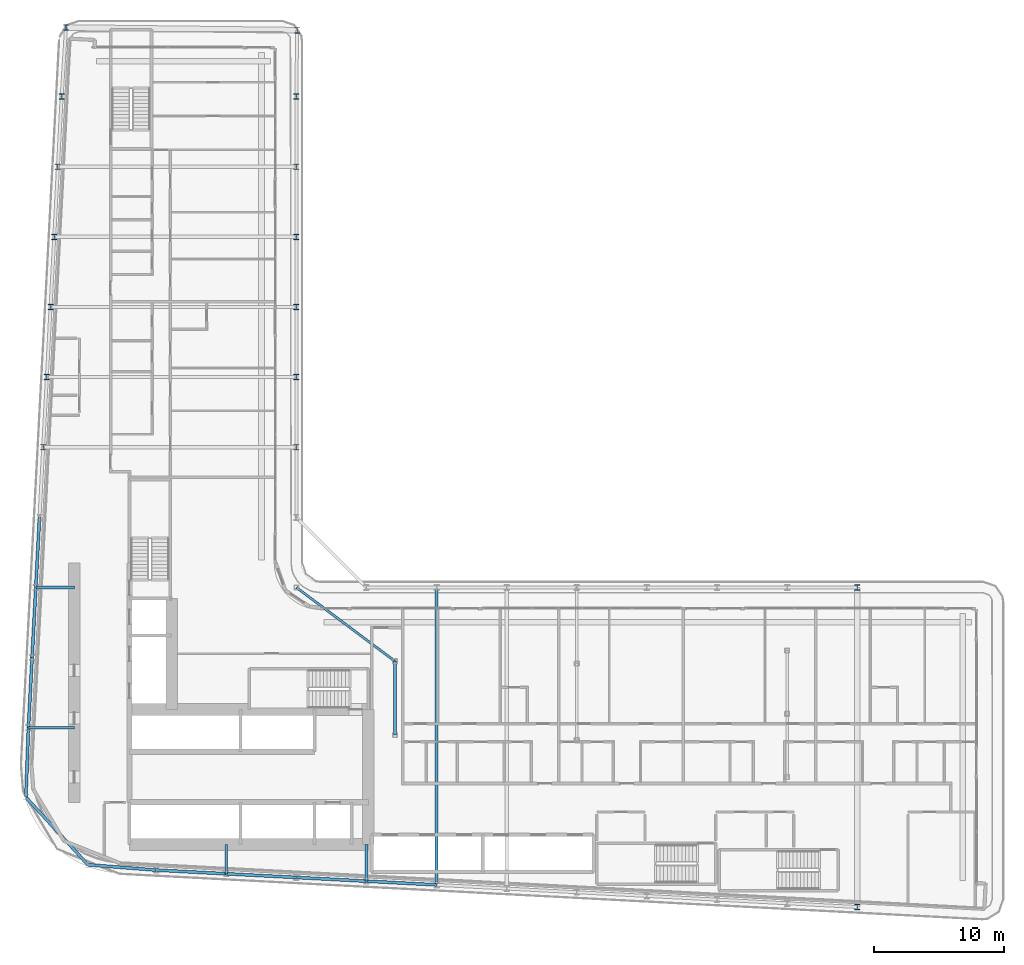
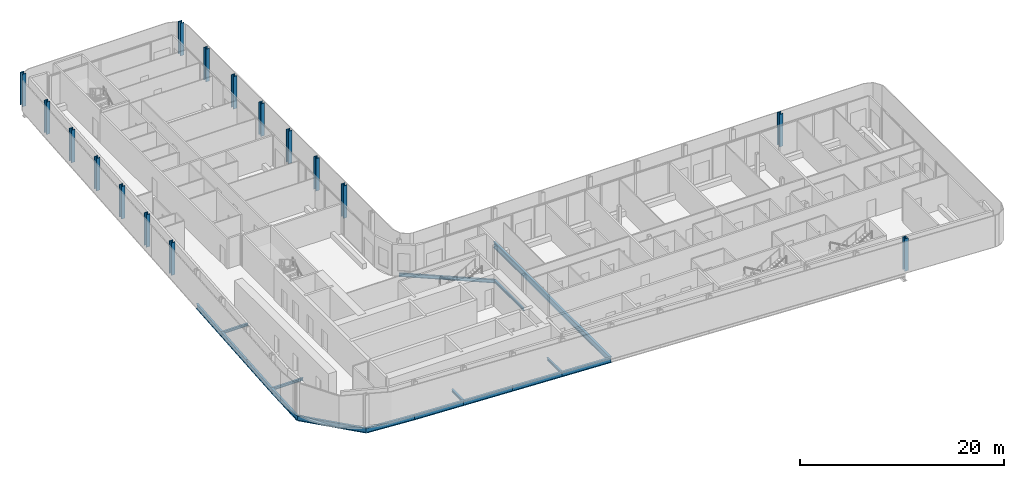
# One storey, part 3 of 27: 17 beams, 16 columns.
"""IFC4 building model written with IfcOpenShell, lengths in metres."""

from ifc_helpers import new_model, si_unit, direction, frame, origin, origin_2d, place, context, subcontext, project, spatial, i_section, extrude, material, material_profile, profile_set, type_object, element, save


model = new_model("IFC4")

# Units and contexts
model_context = context("Model", 3, precision=1e-05, world=origin(), true_north=direction((0.0, 1.0)))
body_context = subcontext(model_context, "Body", "Model", "MODEL_VIEW")
ifc_project = project(units=[si_unit("LENGTHUNIT", "METRE"), si_unit("AREAUNIT", "SQUARE_METRE"), si_unit("VOLUMEUNIT", "CUBIC_METRE"), si_unit("PLANEANGLEUNIT", "RADIAN"), si_unit("MASSUNIT", "GRAM", prefix="KILO")], contexts=[model_context])

# Site, building, storey
site_placement = place(None, origin())
site = spatial("IfcSite", under=ifc_project, at=site_placement, CompositionType="ELEMENT")
building_placement = place(site_placement, origin())
building = spatial("IfcBuilding", under=site, at=building_placement, Name="Kheshtan School and Residences Tower", CompositionType="ELEMENT")
storey_placement = place(building_placement, frame((0.0, 0.0, 101.89990234375)))
storey = spatial("IfcBuildingStorey", under=building, at=storey_placement, Name="L23", CompositionType="ELEMENT", Elevation=101.89990234375)

# Columns
ifc_material = material(Name="Steel ASTM A992 Grade 50", Category="steel")
ifc_material_profile_1 = material_profile(ifc_material, i_section(OverallWidth=0.41796875, OverallDepth=0.455078125, WebThickness=0.042236328125, FlangeThickness=0.067626953125, FilletRadius=0.013671875, at=origin_2d()), Name="W360x551")
ifc_profile_set_1 = profile_set([ifc_material_profile_1], Name="Steel ASTM A992 Grade 50")
column_type = type_object("IfcColumnType", Name="Column C2 W360x551 ASTM A992 Grade 50", PredefinedType="COLUMN", material=ifc_profile_set_1)
for number, where, z_axis, x_axis, name in (
    (1, (90.800048828125, 20.989990234375, 0.0), (0.0, 0.0, 1.0), (1.0, 0.0, 0.0), "Column C006"),
    (2, (90.800048828125, 45.60009765625, 0.0), (0.0, 0.0, 1.0), (1.0, 0.0, 0.0), "Column C068"),
    (3, (28.10595703125, 56.39990234375, 0.0), (0.0, 0.0, 1.0), (1.0, 0.0, 0.0), "Column C080"),
    (4, (47.60009765625, 56.39990234375, 0.0), (0.0, 0.0, 1.0), (1.0, 0.0, 0.0), "Column C081"),
    (5, (28.389892578125, 61.800048828125, 0.0), (0.0, 0.0, 1.0), (1.0, 0.0, 0.0), "Column C082"),
    (6, (47.60009765625, 61.800048828125, 0.0), (0.0, 0.0, 1.0), (1.0, 0.0, 0.0), "Column C083"),
    (7, (28.674072265625, 67.199951171875, 0.0), (0.0, 0.0, 1.0), (1.0, 0.0, 0.0), "Column C084"),
    (8, (47.60009765625, 67.199951171875, 0.0), (0.0, 0.0, 1.0), (1.0, 0.0, 0.0), "Column C085"),
    (9, (28.9580078125, 72.60009765625, 0.0), (0.0, 0.0, 1.0), (1.0, 0.0, 0.0), "Column C086"),
    (10, (47.60009765625, 72.60009765625, 0.0), (0.0, 0.0, 1.0), (1.0, 0.0, 0.0), "Column C087"),
    (11, (29.242919921875, 78.0, 0.0), (0.0, 0.0, 1.0), (1.0, 0.0, 0.0), "Column C088"),
    (12, (47.60009765625, 78.0, 0.0), (0.0, 0.0, 1.0), (1.0, 0.0, 0.0), "Column C089"),
    (13, (29.527099609375, 83.39990234375, 0.0), (0.0, 0.0, 1.0), (1.0, 0.0, 0.0), "Column C090"),
    (14, (47.60009765625, 83.39990234375, 0.0), (0.0, 0.0, 1.0), (1.0, 0.0, 0.0), "Column C091"),
    (15, (47.660888671875, 88.506103515625, 0.0), (0.0, 0.0, 1.0), (1.0, 0.0, 0.0), "Column C092"),
    (16, (29.863037109375, 88.715087890625, 0.0), (0.0, 0.0, 1.0), (1.0, 0.0, 0.0), "Column C097"),
):
    element("IfcColumn", number, at=place(storey_placement, frame(where, z_axis=z_axis, x_axis=x_axis)), inside=storey, type_object=column_type, Name=name, PredefinedType="COLUMN", context=body_context, shape_type="SweptSolid", body=[
        extrude(i_section(OverallWidth=0.41796875, OverallDepth=0.455078125, WebThickness=0.042236328125, FlangeThickness=0.067626953125, FilletRadius=0.013671875, at=origin_2d()), origin(), (0.0, 0.0, 1.0), 3.900146484375),
    ])

# Beams
ifc_material_profile_2 = material_profile(ifc_material, i_section(OverallWidth=0.202880859375, OverallDepth=0.302978515625, WebThickness=0.007568359375, FlangeThickness=0.01318359375, FilletRadius=0.009033203125, at=origin_2d()), Name="W310x60")
ifc_profile_set_2 = profile_set([ifc_material_profile_2], Name="Steel ASTM A992 Grade 50")
beam_type_1 = type_object("IfcBeamType", Name="Beam FB1 W310x60 ASTM A992 Grade 50", PredefinedType="BEAM", material=ifc_profile_set_2)
beam_1_placement = place(storey_placement, frame((53.0, 22.97998046875, -0.301513671875), z_axis=(0.0, 1.0, 0.0), x_axis=(-1.0, 0.0, 0.0)))
element("IfcBeam", 17, at=beam_1_placement, inside=storey, type_object=beam_type_1, Name="Floor beam C019", PredefinedType="BEAM", context=body_context, shape_type="SweptSolid", body=[
    extrude(i_section(OverallWidth=0.202880859375, OverallDepth=0.302978515625, WebThickness=0.007568359375, FlangeThickness=0.01318359375, FilletRadius=0.009033203125, at=origin_2d()), origin(), (0.0, 0.0, 1.0), 2.820068359375),
])
beam_2_placement = place(storey_placement, frame((42.199951171875, 23.548095703125, -0.301513671875), z_axis=(0.0, 1.0, 0.0), x_axis=(-1.0, 0.0, 0.0)))
element("IfcBeam", 18, at=beam_2_placement, inside=storey, type_object=beam_type_1, Name="Floor beam C021", PredefinedType="BEAM", context=body_context, shape_type="SweptSolid", body=[
    extrude(i_section(OverallWidth=0.202880859375, OverallDepth=0.302978515625, WebThickness=0.007568359375, FlangeThickness=0.01318359375, FilletRadius=0.009033203125, at=origin_2d()), origin(), (0.0, 0.0, 1.0), 2.251953125),
])
beam_3_placement = place(storey_placement, frame((26.968994140625, 34.800048828125, -0.301513671875), z_axis=(1.0, 0.0, 0.0), x_axis=(0.0, 1.0, 0.0)))
element("IfcBeam", 19, at=beam_3_placement, inside=storey, type_object=beam_type_1, Name="Floor beam C052", PredefinedType="BEAM", context=body_context, shape_type="SweptSolid", body=[
    extrude(i_section(OverallWidth=0.202880859375, OverallDepth=0.302978515625, WebThickness=0.007568359375, FlangeThickness=0.01318359375, FilletRadius=0.009033203125, at=origin_2d()), origin(), (0.0, 0.0, 1.0), 3.531005859375),
])
beam_4_placement = place(storey_placement, frame((27.537109375, 45.60009765625, -0.301513671875), z_axis=(1.0, 0.0, 0.0), x_axis=(0.0, 1.0, 0.0)))
element("IfcBeam", 20, at=beam_4_placement, inside=storey, type_object=beam_type_1, Name="Floor beam C059", PredefinedType="BEAM", context=body_context, shape_type="SweptSolid", body=[
    extrude(i_section(OverallWidth=0.202880859375, OverallDepth=0.302978515625, WebThickness=0.007568359375, FlangeThickness=0.01318359375, FilletRadius=0.009033203125, at=origin_2d()), origin(), (0.0, 0.0, 1.0), 2.962890625),
])
beam_5_placement = place(storey_placement, frame((55.199951171875, 34.23193359375, -0.301513671875), z_axis=(0.0, 1.0, 0.0), x_axis=(-1.0, 0.0, 0.0)))
element("IfcBeam", 21, at=beam_5_placement, inside=storey, type_object=beam_type_1, Name="Floor beam IC", PredefinedType="BEAM", context=body_context, shape_type="SweptSolid", body=[
    extrude(i_section(OverallWidth=0.202880859375, OverallDepth=0.302978515625, WebThickness=0.007568359375, FlangeThickness=0.01318359375, FilletRadius=0.009033203125, at=origin_2d()), origin(), (0.0, 0.0, 1.0), 5.68408203125),
])
ifc_material_profile_3 = material_profile(ifc_material, i_section(OverallWidth=0.180908203125, OverallDepth=0.4169921875, WebThickness=0.010986328125, FlangeThickness=0.018310546875, FilletRadius=0.012451171875, at=origin_2d()), Name="W410x85")
ifc_profile_set_3 = profile_set([ifc_material_profile_3], Name="Steel ASTM A992 Grade 50")
beam_type_2 = type_object("IfcBeamType", Name="Beam FB3 W410x85 ASTM A992 Grade 50", PredefinedType="BEAM", material=ifc_profile_set_3)
beam_6_placement = place(storey_placement, frame((47.60009765625, 45.60009765625, -0.3583984375), z_axis=(0.800798828004, -0.598933416222, 0.0), x_axis=(0.598933416222, 0.800798828004, 0.0)))
element("IfcBeam", 22, at=beam_6_placement, inside=storey, type_object=beam_type_2, Name="Floor beam IC", PredefinedType="BEAM", context=body_context, shape_type="SweptSolid", body=[
    extrude(i_section(OverallWidth=0.180908203125, OverallDepth=0.4169921875, WebThickness=0.010986328125, FlangeThickness=0.018310546875, FilletRadius=0.012451171875, at=origin_2d()), origin(), (0.0, 0.0, 1.0), 9.490234375),
])
ifc_material_profile_4 = material_profile(ifc_material, i_section(OverallWidth=0.2529296875, OverallDepth=0.677978515625, WebThickness=0.01171875, FlangeThickness=0.016357421875, FilletRadius=0.0146484375, at=origin_2d()), Name="W690x125")
ifc_profile_set_4 = profile_set([ifc_material_profile_4], Name="Steel ASTM A992 Grade 50")
beam_type_3 = type_object("IfcBeamType", Name="Beam FB6 W690x125 ASTM A992 Grade 50", PredefinedType="BEAM", material=ifc_profile_set_4)
beam_7_placement = place(storey_placement, frame((58.39990234375, 45.60009765625, -0.489013671875), z_axis=(0.0, -1.0, 0.0), x_axis=(1.0, 0.0, 0.0)))
element("IfcBeam", 23, at=beam_7_placement, inside=storey, type_object=beam_type_3, Name="Floor beam C062", PredefinedType="BEAM", context=body_context, shape_type="SweptSolid", body=[
    extrude(i_section(OverallWidth=0.2529296875, OverallDepth=0.677978515625, WebThickness=0.01171875, FlangeThickness=0.016357421875, FilletRadius=0.0146484375, at=origin_2d()), origin(), (0.0, 0.0, 1.0), 22.905029296875),
])
ifc_material_profile_5 = material_profile(ifc_material, i_section(OverallWidth=0.22802734375, OverallDepth=0.60302734375, WebThickness=0.010498046875, FlangeThickness=0.014892578125, FilletRadius=0.013427734375, at=origin_2d()), Name="W610x101")
ifc_profile_set_5 = profile_set([ifc_material_profile_5], Name="Steel ASTM A992 Grade 50")
beam_type_4 = type_object("IfcBeamType", Name="Beam SP2 W610x101 ASTM A992 Grade 50", PredefinedType="BEAM", material=ifc_profile_set_5)
for number, where, z_axis, x_axis, name in (
    (24, (58.39990234375, 22.695068359375, -0.451416015625), (-0.998610961136, 0.052689166816, 0.0), (-0.052689166816, -0.998610961136, 0.0), "Spandrel beam C018-C019"),
    (25, (53.0, 22.97998046875, -0.451416015625), (-0.998620447272, 0.05250906864, 0.0), (-0.05250906864, -0.998620447272, 0.0), "Spandrel beam C019-C020"),
):
    element("IfcBeam", number, at=place(storey_placement, frame(where, z_axis=z_axis, x_axis=x_axis)), inside=storey, type_object=beam_type_4, Name=name, PredefinedType="BEAM", context=body_context, shape_type="SweptSolid", body=[
        extrude(i_section(OverallWidth=0.22802734375, OverallDepth=0.60302734375, WebThickness=0.010498046875, FlangeThickness=0.014892578125, FilletRadius=0.013427734375, at=origin_2d()), origin(), (0.0, 0.0, 1.0), 5.407470703125),
    ])
beam_8_placement = place(storey_placement, frame((47.60009765625, 23.263916015625, -0.451416015625), z_axis=(-0.998618203458, 0.052551724256, 0.0), x_axis=(-0.052551724256, -0.998618203458, 0.0)))
element("IfcBeam", 26, at=beam_8_placement, inside=storey, type_object=beam_type_4, Name="Spandrel beam C020-C021", PredefinedType="BEAM", context=body_context, shape_type="SweptSolid", body=[
    extrude(i_section(OverallWidth=0.22802734375, OverallDepth=0.60302734375, WebThickness=0.010498046875, FlangeThickness=0.014892578125, FilletRadius=0.013427734375, at=origin_2d()), origin(), (0.0, 0.0, 1.0), 5.40771484375),
])
beam_9_placement = place(storey_placement, frame((42.199951171875, 23.548095703125, -0.451416015625), z_axis=(-0.998620447272, 0.05250906864, 0.0), x_axis=(-0.05250906864, -0.998620447272, 0.0)))
element("IfcBeam", 27, at=beam_9_placement, inside=storey, type_object=beam_type_4, Name="Spandrel beam C021-C022", PredefinedType="BEAM", context=body_context, shape_type="SweptSolid", body=[
    extrude(i_section(OverallWidth=0.22802734375, OverallDepth=0.60302734375, WebThickness=0.010498046875, FlangeThickness=0.014892578125, FilletRadius=0.013427734375, at=origin_2d()), origin(), (0.0, 0.0, 1.0), 5.407470703125),
])
beam_10_placement = place(storey_placement, frame((36.800048828125, 23.83203125, -0.451416015625), z_axis=(-0.996960114111, 0.077913611599, 0.0), x_axis=(-0.077913611599, -0.996960114111, 0.0)))
element("IfcBeam", 28, at=beam_10_placement, inside=storey, type_object=beam_type_4, Name="Spandrel beam C022-C023", PredefinedType="BEAM", context=body_context, shape_type="SweptSolid", body=[
    extrude(i_section(OverallWidth=0.22802734375, OverallDepth=0.60302734375, WebThickness=0.010498046875, FlangeThickness=0.014892578125, FilletRadius=0.013427734375, at=origin_2d()), origin(), (0.0, 0.0, 1.0), 5.26123046875),
])
beam_11_placement = place(storey_placement, frame((31.554931640625, 24.241943359375, -0.451416015625), z_axis=(-0.676606556481, 0.736344734297, 0.0), x_axis=(-0.736344734297, -0.676606556481, 0.0)))
element("IfcBeam", 29, at=beam_11_placement, inside=storey, type_object=beam_type_4, Name="Spandrel beam C023-C036", PredefinedType="BEAM", context=body_context, shape_type="SweptSolid", body=[
    extrude(i_section(OverallWidth=0.22802734375, OverallDepth=0.60302734375, WebThickness=0.010498046875, FlangeThickness=0.014892578125, FilletRadius=0.013427734375, at=origin_2d()), origin(), (0.0, 0.0, 1.0), 7.066162109375),
])
beam_12_placement = place(storey_placement, frame((26.77392578125, 29.445068359375, -0.451416015625), z_axis=(0.036403319341, 0.999337179505, 0.0), x_axis=(-0.999337179505, 0.036403319341, 0.0)))
element("IfcBeam", 30, at=beam_12_placement, inside=storey, type_object=beam_type_4, Name="Spandrel beam C036-C052", PredefinedType="BEAM", context=body_context, shape_type="SweptSolid", body=[
    extrude(i_section(OverallWidth=0.22802734375, OverallDepth=0.60302734375, WebThickness=0.010498046875, FlangeThickness=0.014892578125, FilletRadius=0.013427734375, at=origin_2d()), origin(), (0.0, 0.0, 1.0), 5.358642578125),
])
beam_13_placement = place(storey_placement, frame((26.968994140625, 34.800048828125, -0.451416015625), z_axis=(0.05250906864, 0.998620447272, 0.0), x_axis=(-0.998620447272, 0.05250906864, 0.0)))
element("IfcBeam", 31, at=beam_13_placement, inside=storey, type_object=beam_type_4, Name="Spandrel beam C052-C056", PredefinedType="BEAM", context=body_context, shape_type="SweptSolid", body=[
    extrude(i_section(OverallWidth=0.22802734375, OverallDepth=0.60302734375, WebThickness=0.010498046875, FlangeThickness=0.014892578125, FilletRadius=0.013427734375, at=origin_2d()), origin(), (0.0, 0.0, 1.0), 5.407470703125),
])
beam_14_placement = place(storey_placement, frame((27.2529296875, 40.199951171875, -0.451416015625), z_axis=(0.052551724256, 0.998618203458, 0.0), x_axis=(-0.998618203458, 0.052551724256, 0.0)))
element("IfcBeam", 32, at=beam_14_placement, inside=storey, type_object=beam_type_4, Name="Spandrel beam C056-C059", PredefinedType="BEAM", context=body_context, shape_type="SweptSolid", body=[
    extrude(i_section(OverallWidth=0.22802734375, OverallDepth=0.60302734375, WebThickness=0.010498046875, FlangeThickness=0.014892578125, FilletRadius=0.013427734375, at=origin_2d()), origin(), (0.0, 0.0, 1.0), 5.40771484375),
])
beam_15_placement = place(storey_placement, frame((27.537109375, 45.60009765625, -0.451416015625), z_axis=(0.052689166816, 0.998610961136, 0.0), x_axis=(-0.998610961136, 0.052689166816, 0.0)))
element("IfcBeam", 33, at=beam_15_placement, inside=storey, type_object=beam_type_4, Name="Spandrel beam C059-C078", PredefinedType="BEAM", context=body_context, shape_type="SweptSolid", body=[
    extrude(i_section(OverallWidth=0.22802734375, OverallDepth=0.60302734375, WebThickness=0.010498046875, FlangeThickness=0.014892578125, FilletRadius=0.013427734375, at=origin_2d()), origin(), (0.0, 0.0, 1.0), 5.407470703125),
])

save(model, "model.ifc")
